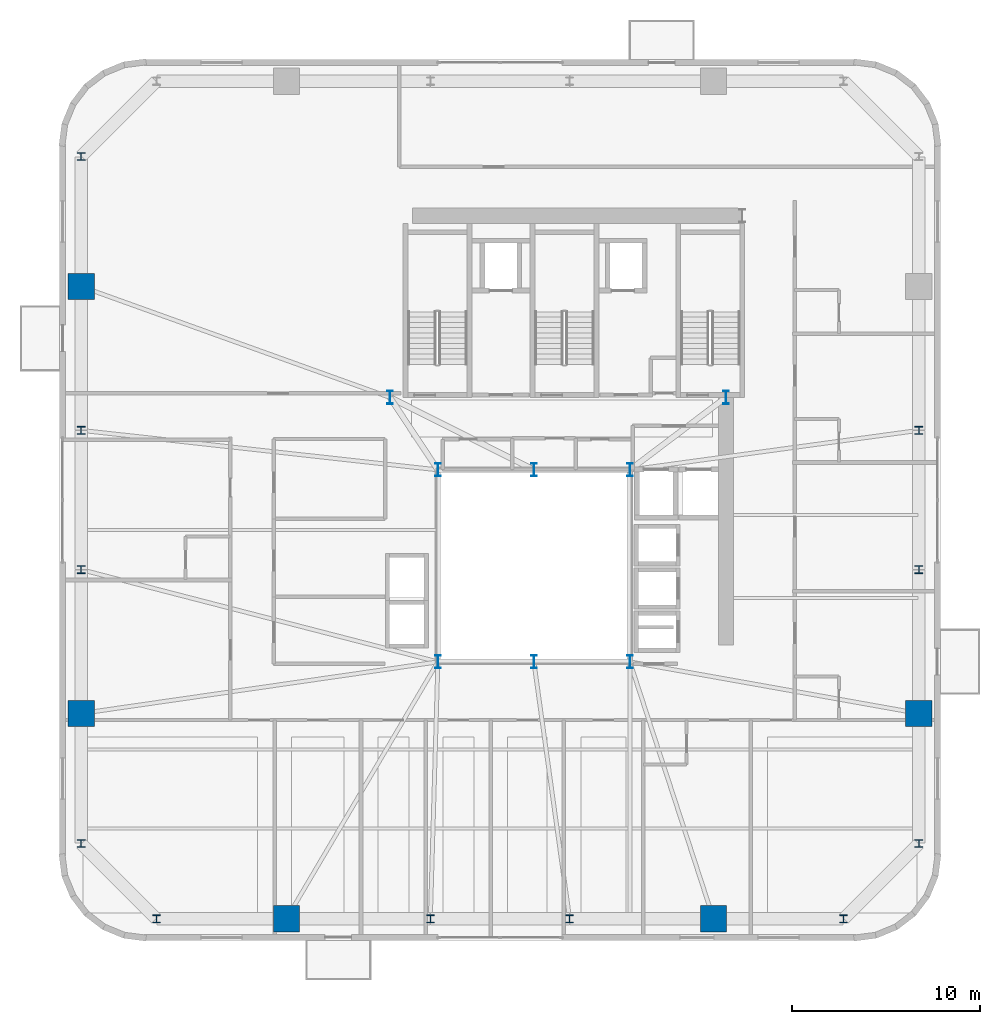
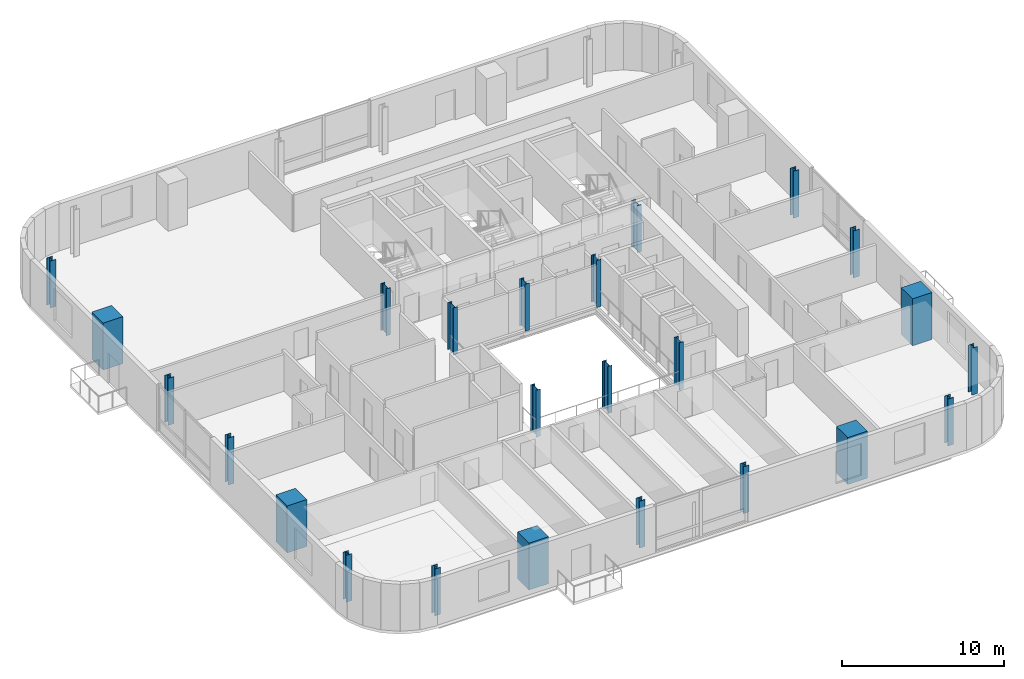
# One storey, part 1 of 16: 24 columns.
"""IFC4 building model written with IfcOpenShell, lengths in metres."""

import ifcopenshell
import ifcopenshell.guid

model = None  # the IFC model being written
_history = None  # IfcOwnerHistory: only IFC2X3 demands one
_inside = {}  # id of a spatial element -> (the spatial element, [elements in it])
_under = {}  # id of a project, library or spatial element -> (it, [spatial elements below it])
_declared = {}  # id of a project -> (the project, [libraries it declares])
_typed = {}  # id of a type object -> (the type object, [elements of that type])
_made_of = {}  # id of a material, layer set ... -> (it, [elements and type objects made of it])


def new_model(schema):
    """Start an empty IFC model of exactly this schema.

    Asked for "IFC4X3", IfcOpenShell would pick the latest addendum, in which some entities
    have other attributes; the version numbers below select the first issue.
    IFC2X3 requires an IfcOwnerHistory on every rooted entity: one is made here for all.
    """
    global model, _history
    if schema == "IFC4X3":
        model = ifcopenshell.file(schema_version=(4, 3, 0, 0))
    else:
        model = ifcopenshell.file(schema=schema)
    _inside.clear()
    _under.clear()
    _declared.clear()
    _typed.clear()
    _made_of.clear()
    _history = None
    if model.schema == "IFC2X3":
        org = make("IfcOrganization", Name="unknown")
        user = make(
            "IfcPersonAndOrganization",
            ThePerson=make("IfcPerson", FamilyName="unknown"),
            TheOrganization=org,
        )
        app = make(
            "IfcApplication",
            ApplicationDeveloper=org,
            Version="unknown",
            ApplicationFullName="unknown",
            ApplicationIdentifier="unknown",
        )
        _history = make(
            "IfcOwnerHistory",
            OwningUser=user,
            OwningApplication=app,
            ChangeAction="ADDED",
            CreationDate=0,
        )
    return model


def make(cls, **values):
    """One entity of the class cls with the attributes given. An attribute that is None is left unset."""
    return model.create_entity(
        cls, **{name: value for name, value in values.items() if value is not None}
    )


def rooted(cls, **values):
    """An entity with a GlobalId (a new one), such as an element, a storey or a relation."""
    return make(cls, GlobalId=ifcopenshell.guid.new(), OwnerHistory=_history, **values)


def si_unit(unit_type, name, prefix=None):
    """IfcSIUnit, for example si_unit("LENGTHUNIT", "METRE", prefix="MILLI")."""
    return make("IfcSIUnit", UnitType=unit_type, Prefix=prefix, Name=name)


def assignment(units):
    """IfcUnitAssignment: the units of a project."""
    return None if units is None else make("IfcUnitAssignment", Units=units)


def point(xyz):
    """IfcCartesianPoint."""
    return None if xyz is None else make("IfcCartesianPoint", Coordinates=xyz)


def direction(xyz):
    """IfcDirection."""
    return None if xyz is None else make("IfcDirection", DirectionRatios=xyz)


def frame(location, z_axis=None, x_axis=None):
    """IfcAxis2Placement3D, a coordinate frame: its origin and axes. An axis left out is left unset."""
    return make(
        "IfcAxis2Placement3D",
        Location=point(location),
        Axis=direction(z_axis),
        RefDirection=direction(x_axis),
    )


def frame_2d(location, x_axis=None):
    """IfcAxis2Placement2D, a coordinate frame in the plane: its origin and x axis."""
    return make(
        "IfcAxis2Placement2D", Location=point(location), RefDirection=direction(x_axis)
    )


def origin():
    """The frame at (0, 0, 0) with its axes left unset."""
    return frame((0.0, 0.0, 0.0))


def origin_2d():
    """The frame at (0, 0) in the plane with its x axis left unset."""
    return frame_2d((0.0, 0.0))


def place(relative_to, where):
    """IfcLocalPlacement: puts the frame where relative to a parent placement (None: the world)."""
    return make(
        "IfcLocalPlacement", PlacementRelTo=relative_to, RelativePlacement=where
    )


def context(
    kind, dimensions, precision=None, world=None, true_north=None, identifier=None
):
    """IfcGeometricRepresentationContext, for example the 3D "Model" context."""
    return make(
        "IfcGeometricRepresentationContext",
        ContextIdentifier=identifier,
        ContextType=kind,
        CoordinateSpaceDimension=dimensions,
        Precision=precision,
        WorldCoordinateSystem=world,
        TrueNorth=true_north,
    )


def subcontext(parent, identifier, kind, view, scale=None):
    """IfcGeometricRepresentationSubContext, for example "Body" below "Model"."""
    return make(
        "IfcGeometricRepresentationSubContext",
        ContextIdentifier=identifier,
        ContextType=kind,
        ParentContext=parent,
        TargetScale=scale,
        TargetView=view,
    )


def project(units=None, contexts=None):
    """IfcProject with its units and contexts."""
    return rooted(
        "IfcProject",
        Name="project",
        RepresentationContexts=contexts,
        UnitsInContext=assignment(units),
    )


def spatial(cls, under=None, at=None, **own):
    """A site, building, storey or space (cls), placed at a placement, below another one or the project."""
    s = rooted(cls, ObjectPlacement=at, **own)
    if under is not None:
        _under.setdefault(under.id(), (under, []))[1].append(s)
    return s


def profile(cls, at=None, kind="AREA", **sizes):
    """A parametric profile (cls). Its sizes go by their IFC names, for example OverallWidth=200.0."""
    return make(cls, ProfileType=kind, Position=at, **sizes)


def rectangle(**sizes):
    """IfcRectangleProfileDef."""
    return profile("IfcRectangleProfileDef", **sizes)


def i_section(**sizes):
    """IfcIShapeProfileDef."""
    return profile("IfcIShapeProfileDef", **sizes)


def extrude(swept, where, along, depth):
    """IfcExtrudedAreaSolid: the profile swept, set in the frame where, extruded along a direction by depth."""
    return make(
        "IfcExtrudedAreaSolid",
        SweptArea=swept,
        Position=where,
        ExtrudedDirection=direction(along),
        Depth=depth,
    )


def shape(context_of_items, identifier, shape_type, items):
    """IfcShapeRepresentation: the items that make up one representation, for example the "Body"."""
    return make(
        "IfcShapeRepresentation",
        ContextOfItems=context_of_items,
        RepresentationIdentifier=identifier,
        RepresentationType=shape_type,
        Items=items,
    )


def source(mapping_origin, context_of_items, identifier, shape_type, items):
    """IfcRepresentationMap: a shape defined once, which mapped items show again and again."""
    return make(
        "IfcRepresentationMap",
        MappingOrigin=mapping_origin,
        MappedRepresentation=shape(context_of_items, identifier, shape_type, items),
    )


def transform(
    local_origin,
    x_axis=None,
    y_axis=None,
    z_axis=None,
    scale=None,
    scale2=None,
    scale3=None,
    uniform=True,
):
    """IfcCartesianTransformationOperator3D, or its non-uniform kind. x_axis, y_axis, z_axis: its Axis1, 2, 3."""
    if uniform:
        return make(
            "IfcCartesianTransformationOperator3D",
            Axis1=direction(x_axis),
            Axis2=direction(y_axis),
            LocalOrigin=point(local_origin),
            Scale=scale,
            Axis3=direction(z_axis),
        )
    return make(
        "IfcCartesianTransformationOperator3DnonUniform",
        Axis1=direction(x_axis),
        Axis2=direction(y_axis),
        LocalOrigin=point(local_origin),
        Scale=scale,
        Axis3=direction(z_axis),
        Scale2=scale2,
        Scale3=scale3,
    )


def mapped(mapping_source, mapping_target):
    """IfcMappedItem: shows the shape of a source again, moved by a transform."""
    return make(
        "IfcMappedItem", MappingSource=mapping_source, MappingTarget=mapping_target
    )


def material(Name=None, Category=None):
    """IfcMaterial."""
    return make("IfcMaterial", Name=Name, Category=Category)


def material_profile(
    of_material, cross_section, Name=None, Category=None, Priority=None
):
    """IfcMaterialProfile: a cross section and its material."""
    return make(
        "IfcMaterialProfile",
        Name=Name,
        Material=of_material,
        Profile=cross_section,
        Priority=Priority,
        Category=Category,
    )


def profile_set(profiles, Name=None, composite=None):
    """IfcMaterialProfileSet."""
    return make(
        "IfcMaterialProfileSet",
        Name=Name,
        MaterialProfiles=profiles,
        CompositeProfile=composite,
    )


def made_of(thing, what):
    """Note that an element or type object is made of a material, layer set ...; save() writes the relation."""
    if what is not None:
        _made_of.setdefault(what.id(), (what, []))[1].append(thing)
    return thing


def type_object(cls, material=None, **own):
    """A type object (cls), such as IfcWallType, which elements share."""
    return made_of(rooted(cls, **own), material)


def element(
    cls,
    number,
    at=None,
    inside=None,
    cuts=None,
    type_object=None,
    material=None,
    context=None,
    identifier="Body",
    shape_type=None,
    held_by="IfcProductDefinitionShape",
    body=None,
    shapes=None,
    **own,
):
    """One element of the class cls, such as IfcWall. Its Tag is "e" and its number.

    at: its placement. inside: the storey or other place that contains it. cuts: it is an
    opening in that element (IfcRelVoidsElement). A single representation is given by context,
    identifier, shape_type and body (its items); several are given by shapes. held_by: the class
    of the entity that holds the representations. save() writes the other relations.
    """
    e = rooted(cls, Tag="e%d" % number, ObjectPlacement=at, **own)
    if body is not None:
        shapes = [shape(context, identifier, shape_type, body)]
    if shapes is not None:
        e.Representation = make(held_by, Representations=shapes)
    if inside is not None:
        _inside.setdefault(inside.id(), (inside, []))[1].append(e)
    if cuts is not None:
        rooted(
            "IfcRelVoidsElement", RelatingBuildingElement=cuts, RelatedOpeningElement=e
        )
    if type_object is not None:
        _typed.setdefault(type_object.id(), (type_object, []))[1].append(e)
    return made_of(e, material)


def aggregate(whole, parts):
    """IfcRelAggregates: a whole, such as a stair, and the parts it consists of."""
    return rooted("IfcRelAggregates", RelatingObject=whole, RelatedObjects=parts)


def save(model, path):
    """Write the relations noted so far, then the file.

    IfcRelAggregates (storeys below a building ...), IfcRelContainedInSpatialStructure (elements
    in a storey), IfcRelDefinesByType, IfcRelAssociatesMaterial and IfcRelDeclares: one each for
    every whole, place, type object, material and project.
    """
    for whole, parts in _under.values():
        aggregate(whole, parts)
    for where, things in _inside.values():
        rooted(
            "IfcRelContainedInSpatialStructure",
            RelatedElements=things,
            RelatingStructure=where,
        )
    for kind, things in _typed.values():
        rooted("IfcRelDefinesByType", RelatedObjects=things, RelatingType=kind)
    for what, things in _made_of.values():
        rooted("IfcRelAssociatesMaterial", RelatedObjects=things, RelatingMaterial=what)
    for by, libraries in _declared.values():
        rooted("IfcRelDeclares", RelatingContext=by, RelatedDefinitions=libraries)
    model.write(path)


model = new_model("IFC4")

# Units and contexts
model_context = context("Model", 3, precision=1e-05, world=origin(), true_north=direction((0.0, 1.0)))
body_context = subcontext(model_context, "Body", "Model", "MODEL_VIEW")
ifc_project = project(units=[si_unit("LENGTHUNIT", "METRE"), si_unit("AREAUNIT", "SQUARE_METRE"), si_unit("VOLUMEUNIT", "CUBIC_METRE"), si_unit("PLANEANGLEUNIT", "RADIAN"), si_unit("MASSUNIT", "GRAM", prefix="KILO")], contexts=[model_context])

# Site, building, storey
site_placement = place(None, origin())
site = spatial("IfcSite", under=ifc_project, at=site_placement, CompositionType="ELEMENT")
building_placement = place(site_placement, origin())
building = spatial("IfcBuilding", under=site, at=building_placement, Name="Vardaveli Station Tower", CompositionType="ELEMENT")
storey_placement = place(building_placement, frame((0.0, 0.0, 184.800048828125)))
storey = spatial("IfcBuildingStorey", under=building, at=storey_placement, Name="L47", CompositionType="ELEMENT", Elevation=184.800048828125)

# Columns
ifc_material_1 = material(Name="Structural steel S460M", Category="steel")
ifc_material_profile_1 = material_profile(ifc_material_1, i_section(OverallWidth=0.300048828125, OverallDepth=0.699951171875, WebThickness=0.01708984375, FlangeThickness=0.031982421875, FilletRadius=0.027099609375, at=origin_2d()), Name="HEB 700")
ifc_profile_set_1 = profile_set([ifc_material_profile_1], Name="Structural steel S460M")
column_type_1 = type_object("IfcColumnType", Name="COL-HEB700", PredefinedType="COLUMN", material=ifc_profile_set_1)
shared_shape_1 = source(origin(), body_context, "Body", "SweptSolid", [
    extrude(i_section(OverallWidth=0.300048828125, OverallDepth=0.699951171875, WebThickness=0.01708984375, FlangeThickness=0.031982421875, FilletRadius=0.027099609375, at=origin_2d()), origin(), (0.0, 0.0, 1.0), 3.530029296875),
])
for number, where, z_axis, x_axis, name in (
    (1, (31.199951171875, 16.60009765625, 0.0), (0.0, 0.0, 1.0), (1.0, 0.0, 0.0), "COL-L47-AC1"),
    (2, (36.300048828125, 16.60009765625, 0.0), (0.0, 0.0, 1.0), (1.0, 0.0, 0.0), "COL-L47-AC2"),
    (3, (41.39990234375, 16.60009765625, 0.0), (0.0, 0.0, 1.0), (1.0, 0.0, 0.0), "COL-L47-AC3"),
    (4, (41.39990234375, 26.800048828125, 0.0), (0.0, 0.0, 1.0), (1.0, 0.0, 0.0), "COL-L47-AC4"),
    (5, (36.300048828125, 26.800048828125, 0.0), (0.0, 0.0, 1.0), (1.0, 0.0, 0.0), "COL-L47-AC5"),
    (6, (31.199951171875, 26.800048828125, 0.0), (0.0, 0.0, 1.0), (1.0, 0.0, 0.0), "COL-L47-AC6"),
    (7, (28.64990234375, 30.64990234375, 0.0), (0.0, 0.0, 1.0), (1.0, 0.0, 0.0), "COL-L47-CC1"),
    (8, (46.5, 30.64990234375, 0.0), (0.0, 0.0, 1.0), (1.0, 0.0, 0.0), "COL-L47-CC2"),
):
    element("IfcColumn", number, at=place(storey_placement, frame(where, z_axis=z_axis, x_axis=x_axis)), inside=storey, type_object=column_type_1, Name=name, PredefinedType="COLUMN", context=body_context, shape_type="MappedRepresentation", body=[
        mapped(shared_shape_1, transform((0.0, 0.0, 0.0), scale=1.0)),
    ])
ifc_material_2 = material(Name="Concrete C50/60", Category="concrete")
ifc_material_profile_2 = material_profile(ifc_material_2, rectangle(XDim=1.39990234375, YDim=1.39990234375, at=origin_2d()), Name="MC 1400x1400")
ifc_profile_set_2 = profile_set([ifc_material_profile_2], Name="Concrete C50/60")
column_type_2 = type_object("IfcColumnType", Name="COL-MC-1400", PredefinedType="COLUMN", material=ifc_profile_set_2)
shared_shape_2 = source(origin(), body_context, "Body", "SweptSolid", [
    extrude(rectangle(XDim=1.39990234375, YDim=1.39990234375, at=origin_2d()), origin(), (0.0, 0.0, 1.0), 3.530029296875),
])
for number, where, z_axis, x_axis, name in (
    (9, (23.159912109375, 2.949951171875, 0.0), (0.0, 0.0, 1.0), (1.0, 0.0, 0.0), "COL-L47-MC1"),
    (10, (45.840087890625, 2.949951171875, 0.0), (0.0, 0.0, 1.0), (1.0, 0.0, 0.0), "COL-L47-MC2"),
    (11, (56.75, 13.860107421875, 0.0), (0.0, 0.0, 1.0), (1.0, 0.0, 0.0), "COL-L47-MC3"),
    (12, (12.25, 36.5400390625, 0.0), (0.0, 0.0, 1.0), (1.0, 0.0, 0.0), "COL-L47-MC7"),
    (13, (12.25, 13.860107421875, 0.0), (0.0, 0.0, 1.0), (1.0, 0.0, 0.0), "COL-L47-MC8"),
):
    element("IfcColumn", number, at=place(storey_placement, frame(where, z_axis=z_axis, x_axis=x_axis)), inside=storey, type_object=column_type_2, Name=name, PredefinedType="COLUMN", context=body_context, shape_type="MappedRepresentation", body=[
        mapped(shared_shape_2, transform((0.0, 0.0, 0.0), scale=1.0)),
    ])
ifc_material_profile_3 = material_profile(ifc_material_1, i_section(OverallWidth=0.408935546875, OverallDepth=0.4169921875, WebThickness=0.021240234375, FlangeThickness=0.033203125, FilletRadius=0.014892578125, at=origin_2d()), Name="HD 400x347")
ifc_profile_set_3 = profile_set([ifc_material_profile_3], Name="Structural steel S460M")
column_type_3 = type_object("IfcColumnType", Name="COL-HD347", PredefinedType="COLUMN", material=ifc_profile_set_3)
shared_shape_3 = source(origin(), body_context, "Body", "SweptSolid", [
    extrude(i_section(OverallWidth=0.408935546875, OverallDepth=0.4169921875, WebThickness=0.021240234375, FlangeThickness=0.033203125, FilletRadius=0.014892578125, at=origin_2d()), origin(), (0.0, 0.0, 1.0), 3.530029296875),
])
for number, where, z_axis, x_axis, name in (
    (14, (16.25, 2.949951171875, 0.0), (0.0, 0.0, 1.0), (1.0, 0.0, 0.0), "COL-L47-PC01"),
    (15, (30.800048828125, 2.949951171875, 0.0), (0.0, 0.0, 1.0), (1.0, 0.0, 0.0), "COL-L47-PC02"),
    (16, (38.199951171875, 2.949951171875, 0.0), (0.0, 0.0, 1.0), (1.0, 0.0, 0.0), "COL-L47-PC03"),
    (17, (52.75, 2.949951171875, 0.0), (0.0, 0.0, 1.0), (1.0, 0.0, 0.0), "COL-L47-PC04"),
    (18, (56.75, 6.949951171875, 0.0), (0.0, 0.0, 1.0), (1.0, 0.0, 0.0), "COL-L47-PC05"),
    (19, (56.75, 21.5, 0.0), (0.0, 0.0, 1.0), (1.0, 0.0, 0.0), "COL-L47-PC06"),
    (20, (56.75, 28.89990234375, 0.0), (0.0, 0.0, 1.0), (1.0, 0.0, 0.0), "COL-L47-PC07"),
    (21, (12.25, 43.449951171875, 0.0), (0.0, 0.0, 1.0), (1.0, 0.0, 0.0), "COL-L47-PC13"),
    (22, (12.25, 28.89990234375, 0.0), (0.0, 0.0, 1.0), (1.0, 0.0, 0.0), "COL-L47-PC14"),
    (23, (12.25, 21.5, 0.0), (0.0, 0.0, 1.0), (1.0, 0.0, 0.0), "COL-L47-PC15"),
    (24, (12.25, 6.949951171875, 0.0), (0.0, 0.0, 1.0), (1.0, 0.0, 0.0), "COL-L47-PC16"),
):
    element("IfcColumn", number, at=place(storey_placement, frame(where, z_axis=z_axis, x_axis=x_axis)), inside=storey, type_object=column_type_3, Name=name, PredefinedType="COLUMN", context=body_context, shape_type="MappedRepresentation", body=[
        mapped(shared_shape_3, transform((0.0, 0.0, 0.0), scale=1.0)),
    ])

save(model, "model.ifc")
